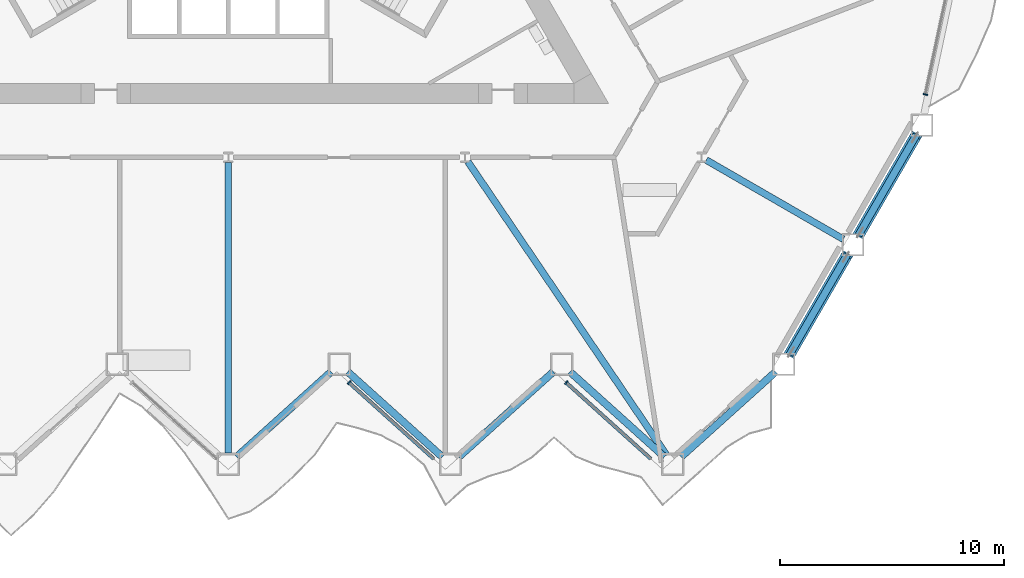
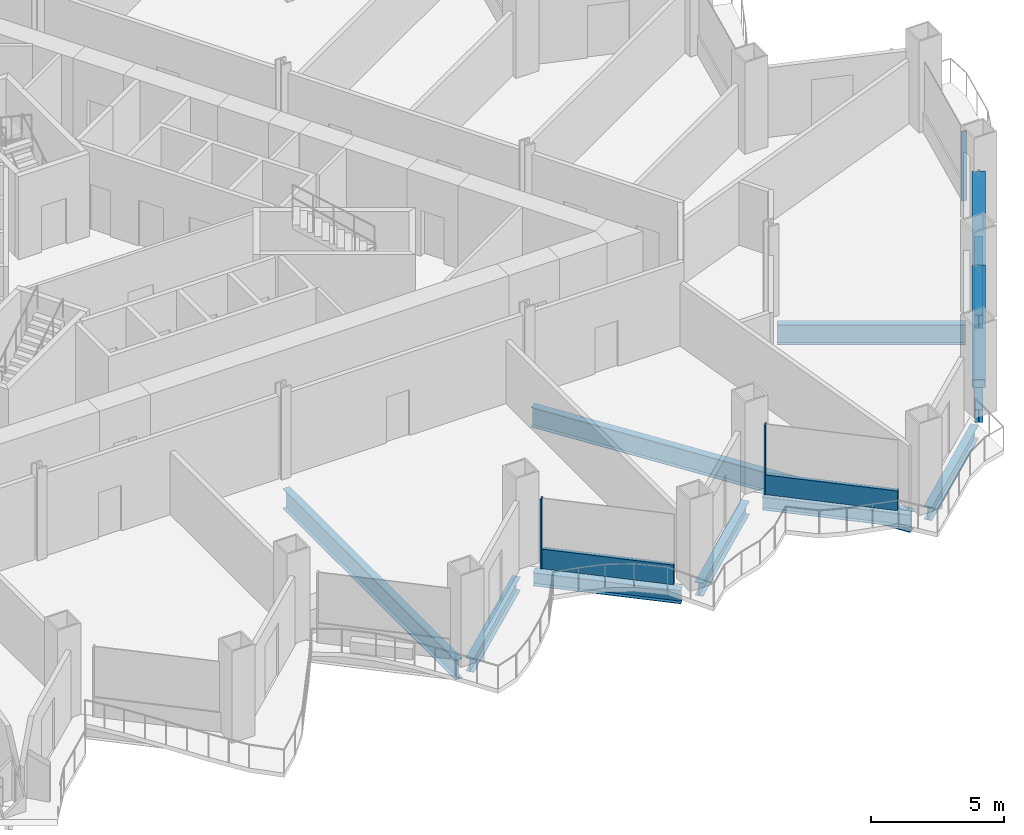
# One storey, part 4 of 21: 10 beams, 7 members, 3 elements without a shape of their own.
"""IFC4 building model written with IfcOpenShell, lengths in metres."""

from ifc_helpers import new_model, si_unit, direction, frame, origin, origin_2d, place, context, subcontext, project, spatial, rectangle, hollow_rectangle, i_section, extrude, material, layer, layer_set, material_profile, profile_set, type_object, element, aggregate, save


model = new_model("IFC4")

# Units and contexts
model_context = context("Model", 3, precision=1e-05, world=origin(), true_north=direction((0.0, 1.0)))
body_context = subcontext(model_context, "Body", "Model", "MODEL_VIEW")
ifc_project = project(units=[si_unit("LENGTHUNIT", "METRE"), si_unit("AREAUNIT", "SQUARE_METRE"), si_unit("VOLUMEUNIT", "CUBIC_METRE"), si_unit("PLANEANGLEUNIT", "RADIAN"), si_unit("MASSUNIT", "GRAM", prefix="KILO")], contexts=[model_context])

# Site, building, storey
site_placement = place(None, origin())
site = spatial("IfcSite", under=ifc_project, at=site_placement, CompositionType="ELEMENT")
building_placement = place(site_placement, origin())
building = spatial("IfcBuilding", under=site, at=building_placement, Name="Cormorant Prow Tower", CompositionType="ELEMENT")
storey_placement = place(building_placement, frame((0.0, 0.0, 42.60009765625)))
storey = spatial("IfcBuildingStorey", under=building, at=storey_placement, Name="L08", CompositionType="ELEMENT", Elevation=42.60009765625)

# Members
ifc_material_1 = material(Name="Structural steel ASTM A500 Gr C", Category="steel")
ifc_material_profile_1 = material_profile(ifc_material_1, hollow_rectangle(XDim=0.508056640625, YDim=0.508056640625, WallThickness=0.014892578125, at=origin_2d()), Name="HSS20x20x5/8")
ifc_profile_set_1 = profile_set([ifc_material_profile_1], Name="Structural steel ASTM A500 Gr C")
member_type_1 = type_object("IfcMemberType", Name="Chamfer brace HSS20x20x5/8", PredefinedType="BRACE", material=ifc_profile_set_1)
member_1_placement = place(storey_placement, frame((25.089599609375, -21.0107421875, 0.76708984375), z_axis=(0.47589308504, 0.824244468952, 0.306833549359), x_axis=(-0.866018434186, 0.500012071504, 0.0)))
element("IfcMember", 1, at=member_1_placement, inside=storey, type_object=member_type_1, Name="Chamfer brace BR1 at ESE00 L08", PredefinedType="BRACE", context=body_context, shape_type="SweptSolid", body=[
    extrude(hollow_rectangle(XDim=0.508056640625, YDim=0.508056640625, WallThickness=0.014892578125, at=origin_2d()), origin(), (0.0, 0.0, 1.0), 5.392333984375),
])
member_2_placement = place(storey_placement, frame((28.174560546875, -15.667724609375, 0.76708984375), z_axis=(0.475875326044, 0.824258984489, 0.306822099191), x_axis=(-0.866030326616, 0.499991473309, 0.0)))
element("IfcMember", 2, at=member_2_placement, inside=storey, type_object=member_type_1, Name="Chamfer brace BR1 at ESE01 L08", PredefinedType="BRACE", context=body_context, shape_type="SweptSolid", body=[
    extrude(hollow_rectangle(XDim=0.508056640625, YDim=0.508056640625, WallThickness=0.014892578125, at=origin_2d()), origin(), (0.0, 0.0, 1.0), 5.392578125),
])

# Curtain wall, member
ifc_material_2 = material(Name="Aluminium 6063-T6", Category="aluminium")
ifc_layer = layer(ifc_material_2, 0.199951171875)
ifc_layer_set = layer_set([ifc_layer], Name="Aluminium 6063-T6")
curtain_wall_type = type_object("IfcCurtainWallType", Name="Office unitised curtain wall 200", PredefinedType="NOTDEFINED", material=ifc_layer_set)
curtain_wall_1_placement = place(storey_placement, origin())
curtain_wall_1 = element("IfcCurtainWall", 3, at=curtain_wall_1_placement, inside=storey, type_object=curtain_wall_type, Name="Office curtain wall S06", PredefinedType="NOTDEFINED")
ifc_material_3 = material(Name="Aluminium 6063-T6", Category="aluminium")
ifc_material_profile_2 = material_profile(ifc_material_3, rectangle(XDim=0.199951171875, YDim=0.06005859375, at=origin_2d()), Name="Office mullion 60x200")
ifc_profile_set_2 = profile_set([ifc_material_profile_2], Name="Aluminium 6063-T6")
member_type_2 = type_object("IfcMemberType", Name="Office mullion 60x200", PredefinedType="MULLION", material=ifc_profile_set_2)
member_3_placement = place(storey_placement, frame((5.3974609375, -22.27783203125, 0.0), z_axis=(0.0, 0.0, 1.0), x_axis=(0.669130649459, 0.74314478667, 0.0)))
member_3 = element("IfcMember", 4, at=member_3_placement, type_object=member_type_2, Name="Office mullion S06", PredefinedType="MULLION", context=body_context, shape_type="SweptSolid", body=[
    extrude(rectangle(XDim=0.199951171875, YDim=0.06005859375, at=origin_2d()), origin(), (0.0, 0.0, 1.0), 3.188720703125),
])

curtain_wall_2_placement = place(storey_placement, origin())
curtain_wall_2 = element("IfcCurtainWall", 5, at=curtain_wall_2_placement, inside=storey, type_object=curtain_wall_type, Name="Office curtain wall S08", PredefinedType="NOTDEFINED")
member_4_placement = place(storey_placement, frame((15.102783203125, -22.27783203125, 0.0), z_axis=(0.0, 0.0, 1.0), x_axis=(0.66913057331, 0.743144855234, 0.0)))
member_4 = element("IfcMember", 6, at=member_4_placement, type_object=member_type_2, Name="Office mullion S08", PredefinedType="MULLION", context=body_context, shape_type="SweptSolid", body=[
    extrude(rectangle(XDim=0.199951171875, YDim=0.06005859375, at=origin_2d()), origin(), (0.0, 0.0, 1.0), 3.188720703125),
])

curtain_wall_3_placement = place(storey_placement, origin())
curtain_wall_3 = element("IfcCurtainWall", 7, at=curtain_wall_3_placement, inside=storey, type_object=curtain_wall_type, Name="Office curtain wall ENE00", PredefinedType="NOTDEFINED")
member_5_placement = place(storey_placement, frame((31.15234375, -9.402099609375, 0.0), z_axis=(0.0, 0.0, 1.0), x_axis=(-0.978147599834, 0.207911695052, 0.0)))
member_5 = element("IfcMember", 8, at=member_5_placement, type_object=member_type_2, Name="Office mullion ENE00", PredefinedType="MULLION", context=body_context, shape_type="SweptSolid", body=[
    extrude(rectangle(XDim=0.199951171875, YDim=0.06005859375, at=origin_2d()), origin(), (0.0, 0.0, 1.0), 3.188720703125),
])
aggregate(curtain_wall_3, [member_5])

# Member
ifc_material_4 = material(Name="Terracotta", Category="masonry")
ifc_material_profile_3 = material_profile(ifc_material_4, rectangle(XDim=0.159912109375, YDim=0.89990234375, at=origin_2d()), Name="Office terracotta spandrel rail 160x900")
ifc_profile_set_3 = profile_set([ifc_material_profile_3], Name="Terracotta")
member_type_3 = type_object("IfcMemberType", Name="Office terracotta spandrel rail 160x900", PredefinedType="USERDEFINED", material=ifc_profile_set_3)
member_6_placement = place(storey_placement, frame((5.419677734375, -22.2978515625, 0.449951171875), z_axis=(0.743140700473, -0.669135187612, 0.0), x_axis=(0.669135187612, 0.743140700473, 0.0)))
member_6 = element("IfcMember", 9, at=member_6_placement, type_object=member_type_3, Name="Office spandrel rail S06", ObjectType="TRANSOM", PredefinedType="USERDEFINED", context=body_context, shape_type="SweptSolid", body=[
    extrude(rectangle(XDim=0.159912109375, YDim=0.89990234375, at=origin_2d()), origin(), (0.0, 0.0, 1.0), 5.06396484375),
])

aggregate(curtain_wall_1, [member_3, member_6])

member_7_placement = place(storey_placement, frame((15.125, -22.2978515625, 0.449951171875), z_axis=(0.743140700473, -0.669135187612, 0.0), x_axis=(0.669135187612, 0.743140700473, 0.0)))
member_7 = element("IfcMember", 10, at=member_7_placement, type_object=member_type_3, Name="Office spandrel rail S08", ObjectType="TRANSOM", PredefinedType="USERDEFINED", context=body_context, shape_type="SweptSolid", body=[
    extrude(rectangle(XDim=0.159912109375, YDim=0.89990234375, at=origin_2d()), origin(), (0.0, 0.0, 1.0), 5.06396484375),
])

aggregate(curtain_wall_2, [member_4, member_7])

# Beams
ifc_material_5 = material(Name="Structural steel ASTM A992 Gr 50", Category="steel")
ifc_material_profile_4 = material_profile(ifc_material_5, i_section(OverallWidth=0.3046875, OverallDepth=0.914794921875, WebThickness=0.0166015625, FlangeThickness=0.02587890625, at=origin_2d()), Name="W36x160")
ifc_profile_set_4 = profile_set([ifc_material_profile_4], Name="Structural steel ASTM A992 Gr 50")
beam_type_1 = type_object("IfcBeamType", Name="Radial floor beam W36x160", PredefinedType="BEAM", material=ifc_profile_set_4)
beam_1_placement = place(storey_placement, frame((0.0, -12.447265625, -0.857421875), z_axis=(0.0, -1.0, 0.0), x_axis=(1.0, 0.0, 0.0)))
element("IfcBeam", 11, at=beam_1_placement, inside=storey, type_object=beam_type_1, Name="Radial floor beam FB1 7 L08", PredefinedType="BEAM", context=body_context, shape_type="SweptSolid", body=[
    extrude(i_section(OverallWidth=0.3046875, OverallDepth=0.914794921875, WebThickness=0.0166015625, FlangeThickness=0.02587890625, at=origin_2d()), origin(), (0.0, 0.0, 1.0), 12.984130859375),
])
beam_2_placement = place(storey_placement, frame((10.708740234375, -12.4072265625, -0.857421875), z_axis=(0.560597160775, -0.828088656685, 0.0), x_axis=(0.828088656685, 0.560597160775, 0.0)))
element("IfcBeam", 12, at=beam_2_placement, inside=storey, type_object=beam_type_1, Name="Radial floor beam FB1 8 L08", PredefinedType="BEAM", context=body_context, shape_type="SweptSolid", body=[
    extrude(i_section(OverallWidth=0.3046875, OverallDepth=0.914794921875, WebThickness=0.0166015625, FlangeThickness=0.02587890625, at=origin_2d()), origin(), (0.0, 0.0, 1.0), 15.831787109375),
])
beam_3_placement = place(storey_placement, frame((21.358154296875, -12.3310546875, -0.857421875), z_axis=(0.866014253463, -0.500019312426, 0.0), x_axis=(0.500019312426, 0.866014253463, 0.0)))
element("IfcBeam", 13, at=beam_3_placement, inside=storey, type_object=beam_type_1, Name="Radial floor beam FB1 9 L08", PredefinedType="BEAM", context=body_context, shape_type="SweptSolid", body=[
    extrude(i_section(OverallWidth=0.3046875, OverallDepth=0.914794921875, WebThickness=0.0166015625, FlangeThickness=0.02587890625, at=origin_2d()), origin(), (0.0, 0.0, 1.0), 7.071533203125),
])
ifc_material_6 = material(Name="Structural steel ASTM A992 Gr 50", Category="steel")
ifc_material_profile_5 = material_profile(ifc_material_6, i_section(OverallWidth=0.32373046875, OverallDepth=0.611083984375, WebThickness=0.0126953125, FlangeThickness=0.01904296875, at=origin_2d()), Name="W24x104")
ifc_profile_set_5 = profile_set([ifc_material_profile_5], Name="Structural steel ASTM A992 Gr 50")
beam_type_2 = type_object("IfcBeamType", Name="Spandrel beam W24x104", PredefinedType="SPANDREL", material=ifc_profile_set_5)
for number, where, z_axis, x_axis, name in (
    (14, (0.37158203125, -25.596923828125, -0.70556640625), (0.743129630386, 0.669147481833, 0.0), (-0.669147481833, 0.743129630386, 0.0), "Spandrel beam SB1 S05-S06 L08"),
    (15, (5.337646484375, -21.79443359375, -0.70556640625), (0.743129630386, -0.669147481833, 0.0), (0.669147481833, 0.743129630386, 0.0), "Spandrel beam SB1 S06-S07 L08"),
    (16, (10.3037109375, -25.596923828125, -0.70556640625), (0.743129630386, 0.669147481833, 0.0), (-0.669147481833, 0.743129630386, 0.0), "Spandrel beam SB1 S07-S08 L08"),
    (17, (15.269775390625, -21.79443359375, -0.70556640625), (0.743129630386, -0.669147481833, 0.0), (0.669147481833, 0.743129630386, 0.0), "Spandrel beam SB1 S08-S09 L08"),
    (18, (20.23583984375, -25.596923828125, -0.70556640625), (0.743129630386, 0.669147481833, 0.0), (-0.669147481833, 0.743129630386, 0.0), "Spandrel beam SB1 S09-ESE00 L08"),
):
    element("IfcBeam", number, at=place(storey_placement, frame(where, z_axis=z_axis, x_axis=x_axis)), inside=storey, type_object=beam_type_2, Name=name, PredefinedType="SPANDREL", context=body_context, shape_type="SweptSolid", body=[
        extrude(i_section(OverallWidth=0.32373046875, OverallDepth=0.611083984375, WebThickness=0.0126953125, FlangeThickness=0.01904296875, at=origin_2d()), origin(), (0.0, 0.0, 1.0), 5.6826171875),
    ])
for number, where, z_axis, x_axis, name in (
    (19, (25.080322265625, -21.02685546875, -0.70556640625), (0.500019507279, 0.866014140959, 0.0), (-0.866014140959, 0.500019507279, 0.0), "Spandrel beam SB1 ESE00-ESE01 L08"),
    (20, (28.165283203125, -15.683837890625, -0.70556640625), (0.49998408811, 0.866034590324, 0.0), (-0.866034590324, 0.49998408811, 0.0), "Spandrel beam SB1 ESE01-ENE00 L08"),
):
    element("IfcBeam", number, at=place(storey_placement, frame(where, z_axis=z_axis, x_axis=x_axis)), inside=storey, type_object=beam_type_2, Name=name, PredefinedType="SPANDREL", context=body_context, shape_type="SweptSolid", body=[
        extrude(i_section(OverallWidth=0.32373046875, OverallDepth=0.611083984375, WebThickness=0.0126953125, FlangeThickness=0.01904296875, at=origin_2d()), origin(), (0.0, 0.0, 1.0), 5.169677734375),
    ])

save(model, "model.ifc")
